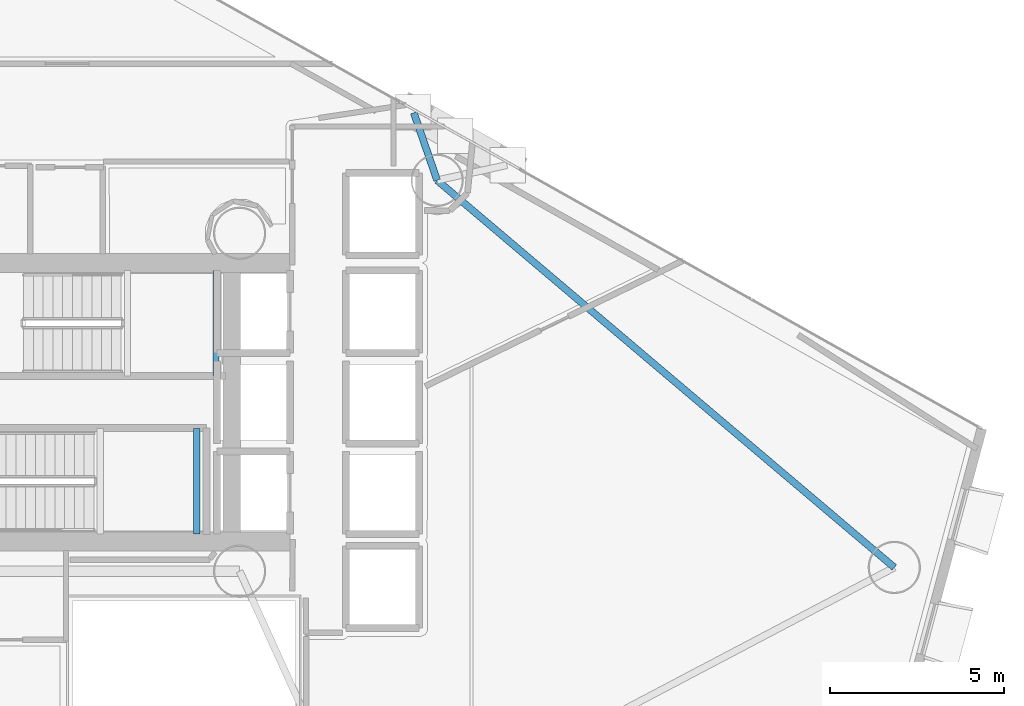
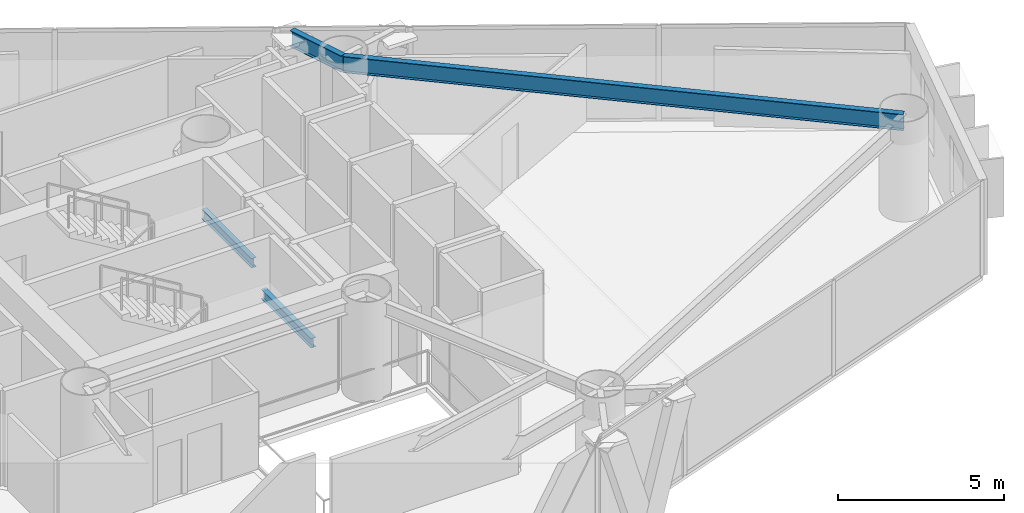
# One storey, part 9 of 19: 4 beams.
"""IFC4 building model written with IfcOpenShell, lengths in metres."""

from ifc_helpers import new_model, si_unit, direction, frame, origin, origin_2d, place, context, subcontext, project, spatial, i_section, extrude, material, material_profile, profile_set, type_object, element, save


model = new_model("IFC4")

# Units and contexts
model_context = context("Model", 3, precision=1e-05, world=origin(), true_north=direction((0.0, 1.0)))
body_context = subcontext(model_context, "Body", "Model", "MODEL_VIEW")
ifc_project = project(units=[si_unit("LENGTHUNIT", "METRE"), si_unit("AREAUNIT", "SQUARE_METRE"), si_unit("VOLUMEUNIT", "CUBIC_METRE"), si_unit("PLANEANGLEUNIT", "RADIAN"), si_unit("MASSUNIT", "GRAM", prefix="KILO")], contexts=[model_context])

# Site, building, storey
site_placement = place(None, origin())
site = spatial("IfcSite", under=ifc_project, at=site_placement, CompositionType="ELEMENT")
building_placement = place(site_placement, origin())
building = spatial("IfcBuilding", under=site, at=building_placement, Name="Qianvela Tower", CompositionType="ELEMENT")
storey_placement = place(building_placement, frame((0.0, 0.0, 123.699951171875)))
storey = spatial("IfcBuildingStorey", under=building, at=storey_placement, Name="L31", CompositionType="ELEMENT", Elevation=123.699951171875)

# Beams
ifc_material_1 = material(Name="Steel Q355B", Category="steel")
ifc_material_profile_1 = material_profile(ifc_material_1, i_section(OverallWidth=0.175048828125, OverallDepth=0.35009765625, WebThickness=0.007080078125, FlangeThickness=0.010986328125, at=origin_2d()), Name="HN350x175x7x11")
ifc_profile_set_1 = profile_set([ifc_material_profile_1], Name="Steel Q355B")
beam_type_1 = type_object("IfcBeamType", Name="BM-HN350-JOIST", PredefinedType="JOIST", material=ifc_profile_set_1)
for number, where, z_axis, x_axis, name in (
    (1, (37.719970703125, 29.4599609375, 1.47509765625), (0.0, 1.0, 0.0), (-1.0, 0.0, 0.0), "L31 Stair ST-1 Landing Support Beam 1.2"),
    (2, (37.169921875, 24.919921875, 1.47509765625), (0.0, 1.0, 0.0), (-1.0, 0.0, 0.0), "L31 Stair ST-2 Landing Support Beam 1.2"),
):
    element("IfcBeam", number, at=place(storey_placement, frame(where, z_axis=z_axis, x_axis=x_axis)), inside=storey, type_object=beam_type_1, Name=name, PredefinedType="JOIST", context=body_context, shape_type="SweptSolid", body=[
        extrude(i_section(OverallWidth=0.175048828125, OverallDepth=0.35009765625, WebThickness=0.007080078125, FlangeThickness=0.010986328125, at=origin_2d()), origin(), (0.0, 0.0, 1.0), 3.02001953125),
    ])
ifc_material_2 = material(Name="Steel Q355B", Category="steel")
ifc_material_profile_2 = material_profile(ifc_material_2, i_section(OverallWidth=0.199951171875, OverallDepth=0.60009765625, WebThickness=0.010986328125, FlangeThickness=0.01708984375, at=origin_2d()), Name="HN600x200x11x17")
ifc_profile_set_2 = profile_set([ifc_material_profile_2], Name="Steel Q355B")
beam_type_2 = type_object("IfcBeamType", Name="BM-HN600-GIRD", PredefinedType="BEAM", material=ifc_profile_set_2)
beam_1_placement = place(storey_placement, frame((44.071044921875, 35.070068359375, 3.218017578125), z_axis=(-0.3264603006, 0.945210914099, 0.0), x_axis=(-0.945210914099, -0.3264603006, 0.0)))
element("IfcBeam", 3, at=beam_1_placement, inside=storey, type_object=beam_type_2, Name="L31 Mega-Brace Column Tie Bracket F1-2", PredefinedType="BEAM", context=body_context, shape_type="SweptSolid", body=[
    extrude(i_section(OverallWidth=0.199951171875, OverallDepth=0.60009765625, WebThickness=0.010986328125, FlangeThickness=0.01708984375, at=origin_2d()), origin(), (0.0, 0.0, 1.0), 2.050537109375),
])
beam_2_placement = place(storey_placement, frame((57.194091796875, 23.9580078125, 3.218017578125), z_axis=(-0.763158437154, 0.646211420358, 0.0), x_axis=(-0.646211420358, -0.763158437154, 0.0)))
element("IfcBeam", 4, at=beam_2_placement, inside=storey, type_object=beam_type_2, Name="L31 Perimeter Ring Spandrel Girder 1", PredefinedType="BEAM", context=body_context, shape_type="SweptSolid", body=[
    extrude(i_section(OverallWidth=0.199951171875, OverallDepth=0.60009765625, WebThickness=0.010986328125, FlangeThickness=0.01708984375, at=origin_2d()), origin(), (0.0, 0.0, 1.0), 17.19580078125),
])

save(model, "model.ifc")
